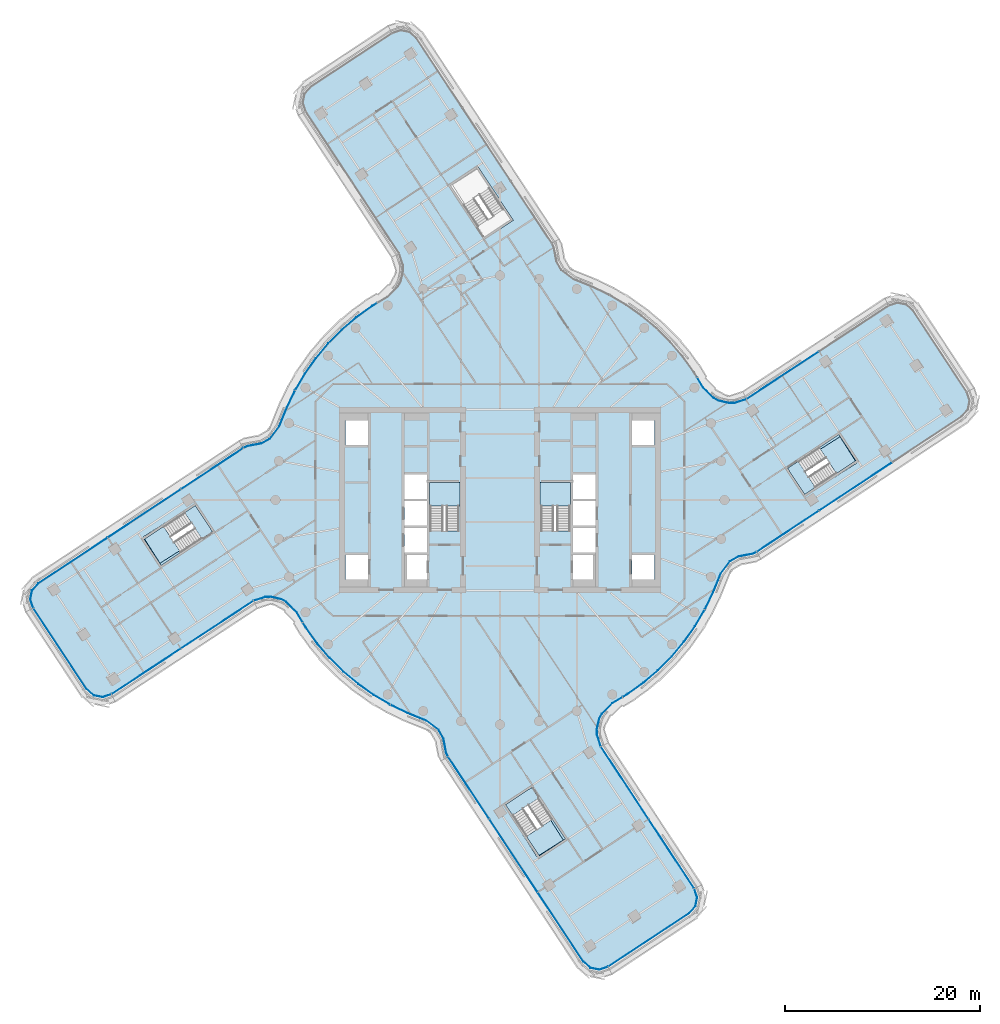
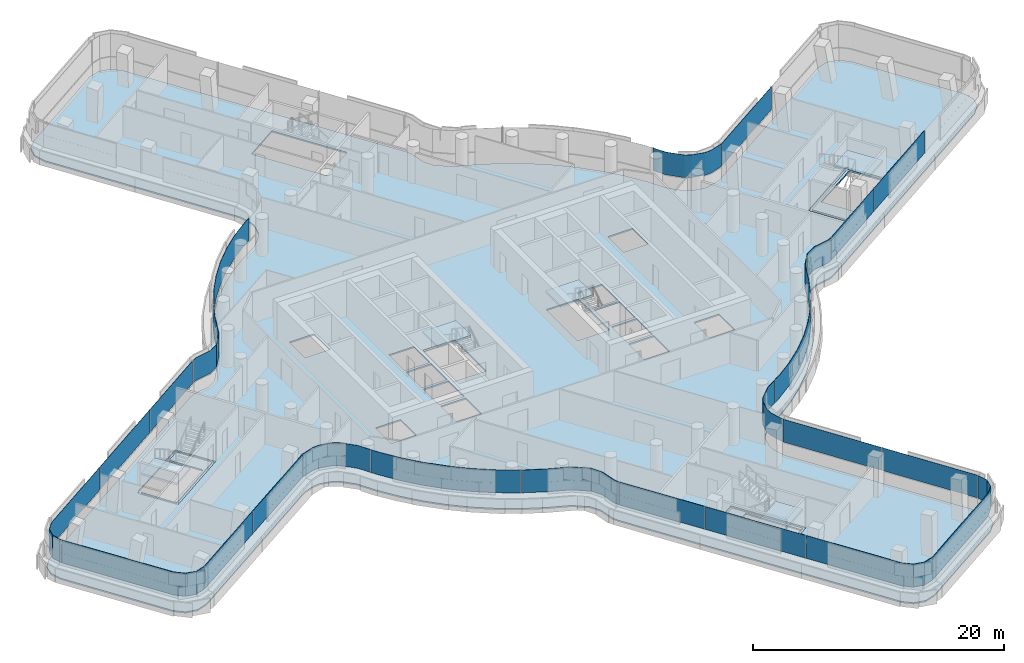
# One storey, part 20 of 35: 24 plates, 9 slabs, 17 elements without a shape of their own.
"""IFC4 building model written with IfcOpenShell, lengths in metres."""

from ifc_helpers import new_model, si_unit, direction, frame, origin, place, context, subcontext, project, spatial, polyline, outline, extrude, material, layer, layer_set, type_object, element, aggregate, save


model = new_model("IFC4")

# Units and contexts
model_context = context("Model", 3, precision=1e-05, world=origin(), true_north=direction((0.0, 1.0)))
body_context = subcontext(model_context, "Body", "Model", "MODEL_VIEW")
ifc_project = project(units=[si_unit("LENGTHUNIT", "METRE"), si_unit("AREAUNIT", "SQUARE_METRE"), si_unit("VOLUMEUNIT", "CUBIC_METRE"), si_unit("PLANEANGLEUNIT", "RADIAN"), si_unit("MASSUNIT", "GRAM", prefix="KILO")], contexts=[model_context])

# Site, building, storey
site_placement = place(None, origin())
site = spatial("IfcSite", under=ifc_project, at=site_placement, CompositionType="ELEMENT")
building_placement = place(site_placement, origin())
building = spatial("IfcBuilding", under=site, at=building_placement, Name="Tamarind Cross Interchange Tower", CompositionType="ELEMENT")
storey_placement = place(building_placement, frame((0.0, 0.0, 155.5)))
storey = spatial("IfcBuildingStorey", under=building, at=storey_placement, Name="L38", CompositionType="ELEMENT", Elevation=155.5)

# Slabs
ifc_material_1 = material(Name="Concrete C35", Category="concrete")
ifc_layer_1 = layer(ifc_material_1, 0.139892578125)
ifc_layer_set_1 = layer_set([ifc_layer_1], Name="Concrete C35")
slab_type_1 = type_object("IfcSlabType", Name="Composite slab 140 Concrete C35", PredefinedType="FLOOR", material=ifc_layer_set_1)
slab_1_placement = place(storey_placement, frame((0.0, 0.0, -0.139892578125)))
element("IfcSlab", 1, at=slab_1_placement, inside=storey, type_object=slab_type_1, Name="Floor slab L38", PredefinedType="FLOOR", context=body_context, shape_type="SweptSolid", body=[
    extrude(outline(polyline([(5.707275390625, 25.9365234375), (5.47900390625, 26.406005859375), (-8.395263671875, 47.420654296875), (-9.169921875, 48.107666015625), (-10.18408203125, 48.315185546875), (-11.166259765625, 47.98779296875), (-19.511474609375, 42.47802734375), (-20.198486328125, 41.70361328125), (-20.406005859375, 40.689208984375), (-20.07861328125, 39.70703125), (-10.51123046875, 25.150634765625), (-10.143310546875, 24.017578125), (-10.119873046875, 23.495361328125), (-10.355224609375, 22.466796875), (-10.603271484375, 22.006591796875), (-11.63671875, 20.97998046875), (-13.2109375, 20.031982421875), (-14.820068359375, 18.87255859375), (-16.327880859375, 17.584228515625), (-17.72412109375, 16.17578125), (-18.99951171875, 14.656982421875), (-20.14501953125, 13.0380859375), (-21.15283203125, 11.329833984375), (-22.01611328125, 9.54443359375), (-22.772705078125, 7.660400390625), (-23.689208984375, 6.440185546875), (-24.509765625, 5.971435546875), (-25.3212890625, 5.828369140625), (-25.9365234375, 5.707275390625), (-26.406005859375, 5.47900390625), (-47.420654296875, -8.395263671875), (-48.107666015625, -9.169921875), (-48.315185546875, -10.18408203125), (-47.98779296875, -11.166259765625), (-42.47802734375, -19.511474609375), (-41.70361328125, -20.198486328125), (-40.689208984375, -20.406005859375), (-39.70703125, -20.07861328125), (-25.150634765625, -10.51123046875), (-24.017578125, -10.143310546875), (-23.495361328125, -10.119873046875), (-22.466796875, -10.355224609375), (-22.006591796875, -10.603271484375), (-20.97998046875, -11.63671875), (-20.031982421875, -13.2109375), (-18.87255859375, -14.820068359375), (-17.584228515625, -16.327880859375), (-16.17578125, -17.72412109375), (-14.656982421875, -18.99951171875), (-13.0380859375, -20.14501953125), (-11.329833984375, -21.15283203125), (-9.54443359375, -22.01611328125), (-7.660400390625, -22.772705078125), (-6.440185546875, -23.689208984375), (-5.971435546875, -24.509765625), (-5.828369140625, -25.3212890625), (-5.707275390625, -25.9365234375), (-5.47900390625, -26.406005859375), (8.395263671875, -47.420654296875), (9.169921875, -48.107666015625), (10.18408203125, -48.315185546875), (11.166259765625, -47.98779296875), (19.511474609375, -42.47802734375), (20.198486328125, -41.70361328125), (20.406005859375, -40.689208984375), (20.07861328125, -39.70703125), (10.51123046875, -25.150634765625), (10.143310546875, -24.017578125), (10.119873046875, -23.495361328125), (10.355224609375, -22.466796875), (10.603271484375, -22.006591796875), (11.63671875, -20.97998046875), (13.2109375, -20.031982421875), (14.820068359375, -18.87255859375), (16.327880859375, -17.584228515625), (17.72412109375, -16.17578125), (18.99951171875, -14.656982421875), (20.14501953125, -13.0380859375), (21.15283203125, -11.329833984375), (22.01611328125, -9.54443359375), (22.772705078125, -7.660400390625), (23.689208984375, -6.440185546875), (24.509765625, -5.971435546875), (25.3212890625, -5.828369140625), (25.9365234375, -5.707275390625), (26.406005859375, -5.47900390625), (47.420654296875, 8.395263671875), (48.107666015625, 9.169921875), (48.315185546875, 10.18408203125), (47.98779296875, 11.166259765625), (42.47802734375, 19.511474609375), (41.70361328125, 20.198486328125), (40.689208984375, 20.406005859375), (39.70703125, 20.07861328125), (25.150634765625, 10.51123046875), (24.017578125, 10.143310546875), (23.495361328125, 10.119873046875), (22.466796875, 10.355224609375), (22.006591796875, 10.603271484375), (20.97998046875, 11.63671875), (20.031982421875, 13.2109375), (18.87255859375, 14.820068359375), (17.584228515625, 16.327880859375), (16.17578125, 17.72412109375), (14.656982421875, 18.99951171875), (13.0380859375, 20.14501953125), (11.329833984375, 21.15283203125), (9.54443359375, 22.01611328125), (7.660400390625, 22.772705078125), (6.440185546875, 23.689208984375), (5.971435546875, 24.509765625), (5.828369140625, 25.3212890625), (5.707275390625, 25.9365234375)]), holes=[polyline([(-7.5, -8.125), (-9.800048828125, -8.125), (-9.800048828125, -5.625), (-7.5, -5.625), (-7.5, -8.125)]), polyline([(-13.5, -8.125), (-15.800048828125, -8.125), (-15.800048828125, -5.625), (-13.5, -5.625), (-13.5, -8.125)]), polyline([(-31.154052734375, -0.291748046875), (-31.043701171875, -0.458740234375), (-29.28076171875, -3.129150390625), (-29.17041015625, -3.296142578125), (-34.76171875, -6.987548828125), (-34.8720703125, -6.82080078125), (-36.635009765625, -4.150390625), (-36.745361328125, -3.9833984375), (-36.50732421875, -3.826171875), (-36.539306640625, -3.775634765625), (-33.761474609375, -2.013427734375), (-31.154052734375, -0.291748046875)]), polyline([(-7.5, -5.375), (-9.800048828125, -5.375), (-9.800048828125, -2.875), (-7.5, -2.875), (-7.5, -5.375)]), polyline([(-7.5, -2.625), (-9.800048828125, -2.625), (-9.800048828125, -0.125), (-7.5, -0.125), (-7.5, -2.625)]), polyline([(-4.199951171875, 1.800048828125), (-4.199951171875, -3.18798828125), (-7.14990234375, -3.18798828125), (-7.14990234375, 1.800048828125), (-4.199951171875, 1.800048828125)]), polyline([(-7.5, 0.125), (-9.800048828125, 0.125), (-9.800048828125, 2.625), (-7.5, 2.625), (-7.5, 0.125)]), polyline([(-13.5, 5.625), (-15.800048828125, 5.625), (-15.800048828125, 8.125), (-13.5, 8.125), (-13.5, 5.625)]), polyline([(1.361083984375, 28.650390625), (1.194091796875, 28.540283203125), (-1.476318359375, 26.777099609375), (-1.643310546875, 26.6669921875), (-5.334716796875, 32.25830078125), (-5.167724609375, 32.368408203125), (-2.497314453125, 34.131591796875), (-2.330322265625, 34.24169921875), (-2.173095703125, 34.00341796875), (-2.168701171875, 34.006103515625), (-2.013427734375, 33.761474609375), (1.361083984375, 28.650390625)]), polyline([(6.987548828125, -34.76171875), (6.82080078125, -34.8720703125), (4.150390625, -36.635009765625), (3.9833984375, -36.745361328125), (3.826171875, -36.50732421875), (3.775634765625, -36.539306640625), (2.013427734375, -33.761474609375), (0.291748046875, -31.154052734375), (0.458740234375, -31.043701171875), (3.129150390625, -29.28076171875), (3.296142578125, -29.17041015625), (6.987548828125, -34.76171875)]), polyline([(13.5, -5.625), (15.800048828125, -5.625), (15.800048828125, -8.125), (13.5, -8.125), (13.5, -5.625)]), polyline([(7.5, -5.625), (9.800048828125, -5.625), (9.800048828125, -8.125), (7.5, -8.125), (7.5, -5.625)]), polyline([(7.5, -2.875), (9.800048828125, -2.875), (9.800048828125, -5.375), (7.5, -5.375), (7.5, -2.875)]), polyline([(7.5, -0.125), (9.800048828125, -0.125), (9.800048828125, -2.625), (7.5, -2.625), (7.5, -0.125)]), polyline([(7.14990234375, 1.800048828125), (7.14990234375, -3.18798828125), (4.199951171875, -3.18798828125), (4.199951171875, 1.800048828125), (7.14990234375, 1.800048828125)]), polyline([(7.5, 2.625), (9.800048828125, 2.625), (9.800048828125, 0.125), (7.5, 0.125), (7.5, 2.625)]), polyline([(33.761474609375, 2.013427734375), (31.154052734375, 0.291748046875), (31.043701171875, 0.458740234375), (29.28076171875, 3.129150390625), (29.17041015625, 3.296142578125), (34.76171875, 6.987548828125), (34.8720703125, 6.82080078125), (36.635009765625, 4.150390625), (36.745361328125, 3.9833984375), (36.50732421875, 3.826171875), (36.539306640625, 3.775634765625), (33.761474609375, 2.013427734375)]), polyline([(15.800048828125, 8.125), (15.800048828125, 5.625), (13.5, 5.625), (13.5, 8.125), (15.800048828125, 8.125)])]), origin(), (0.0, 0.0, 1.0), 0.139892578125),
])
slab_2_placement = place(storey_placement, frame((0.0, 0.0, -0.139892578125)))
element("IfcSlab", 2, at=slab_2_placement, inside=storey, type_object=slab_type_1, Name="Floor slab L38", PredefinedType="FLOOR", context=body_context, shape_type="SweptSolid", body=[
    extrude(outline(polyline([(-36.46826171875, -4.0400390625), (-34.705078125, -6.71044921875), (-29.447509765625, -3.239501953125), (-31.210693359375, -0.56884765625), (-32.3056640625, -1.291748046875), (-30.63623046875, -3.8203125), (-34.8251953125, -6.477783203125), (-36.400146484375, -3.9951171875), (-36.46826171875, -4.0400390625)])), origin(), (0.0, 0.0, 1.0), 0.139892578125),
])
slab_3_placement = place(storey_placement, frame((0.0, 0.0, -0.139892578125)))
element("IfcSlab", 3, at=slab_3_placement, inside=storey, type_object=slab_type_1, Name="Floor slab L38", PredefinedType="FLOOR", context=body_context, shape_type="SweptSolid", body=[
    extrude(outline(polyline([(3.239501953125, -29.447509765625), (0.56884765625, -31.210693359375), (1.291748046875, -32.3056640625), (3.8203125, -30.63623046875), (6.477783203125, -34.8251953125), (3.9951171875, -36.400146484375), (4.0400390625, -36.46826171875), (6.71044921875, -34.705078125), (3.239501953125, -29.447509765625)])), origin(), (0.0, 0.0, 1.0), 0.139892578125),
])
slab_4_placement = place(storey_placement, frame((0.0, 0.0, -0.139892578125)))
element("IfcSlab", 4, at=slab_4_placement, inside=storey, type_object=slab_type_1, Name="Floor slab L38", PredefinedType="FLOOR", context=body_context, shape_type="SweptSolid", body=[
    extrude(outline(polyline([(29.447509765625, 3.239501953125), (31.210693359375, 0.56884765625), (32.3056640625, 1.291748046875), (30.63623046875, 3.8203125), (34.8251953125, 6.477783203125), (36.400146484375, 3.9951171875), (36.46826171875, 4.0400390625), (34.705078125, 6.71044921875), (29.447509765625, 3.239501953125)])), origin(), (0.0, 0.0, 1.0), 0.139892578125),
])

# Stair, slab
ifc_material_2 = material(Name="Exit stair")
stair_type = type_object("IfcStairType", Name="Exit stair", PredefinedType="HALF_TURN_STAIR", material=ifc_material_2)
stair_1_placement = place(storey_placement, origin())
stair_1 = element("IfcStair", 5, at=stair_1_placement, inside=storey, type_object=stair_type, Name="L38 exit stair ST1", PredefinedType="HALF_TURN_STAIR")
ifc_material_3 = material(Name="Concrete C40", Category="concrete")
ifc_layer_2 = layer(ifc_material_3, 0.199951171875)
ifc_layer_set_2 = layer_set([ifc_layer_2], Name="Concrete C40")
slab_type_2 = type_object("IfcSlabType", Name="Stair landing", PredefinedType="LANDING", material=ifc_layer_set_2)
slab_5_placement = place(storey_placement, frame((0.0, 0.0, 1.675048828125)))
slab_5 = element("IfcSlab", 6, at=slab_5_placement, type_object=slab_type_2, Name="ST1 landing 1", PredefinedType="LANDING", context=body_context, shape_type="SweptSolid", body=[
    extrude(outline(polyline([(-4.10009765625, -0.60009765625), (-4.10009765625, 1.800048828125), (-7.199951171875, 1.800048828125), (-7.199951171875, -0.60009765625), (-4.10009765625, -0.60009765625)])), origin(), (0.0, 0.0, 1.0), 0.199951171875),
])
aggregate(stair_1, [slab_5])

stair_2_placement = place(storey_placement, origin())
stair_2 = element("IfcStair", 7, at=stair_2_placement, inside=storey, type_object=stair_type, Name="L38 exit stair ST2", PredefinedType="HALF_TURN_STAIR")
slab_6_placement = place(storey_placement, frame((0.0, 0.0, 1.675048828125)))
slab_6 = element("IfcSlab", 8, at=slab_6_placement, type_object=slab_type_2, Name="ST2 landing 1", PredefinedType="LANDING", context=body_context, shape_type="SweptSolid", body=[
    extrude(outline(polyline([(7.199951171875, -0.60009765625), (7.199951171875, 1.800048828125), (4.10009765625, 1.800048828125), (4.10009765625, -0.60009765625), (7.199951171875, -0.60009765625)])), origin(), (0.0, 0.0, 1.0), 0.199951171875),
])
aggregate(stair_2, [slab_6])

stair_3_placement = place(storey_placement, origin())
stair_3 = element("IfcStair", 9, at=stair_3_placement, inside=storey, type_object=stair_type, Name="L38 exit stair ST3", PredefinedType="HALF_TURN_STAIR")
slab_7_placement = place(storey_placement, frame((0.0, 0.0, 1.675048828125)))
slab_7 = element("IfcSlab", 10, at=slab_7_placement, type_object=slab_type_2, Name="ST3 landing 1", PredefinedType="LANDING", context=body_context, shape_type="SweptSolid", body=[
    extrude(outline(polyline([(34.455322265625, 2.711181640625), (36.46826171875, 4.0400390625), (34.705078125, 6.71044921875), (32.692138671875, 5.381591796875), (34.455322265625, 2.711181640625)])), origin(), (0.0, 0.0, 1.0), 0.199951171875),
])
aggregate(stair_3, [slab_7])

stair_4_placement = place(storey_placement, origin())
stair_4 = element("IfcStair", 11, at=stair_4_placement, inside=storey, type_object=stair_type, Name="L38 exit stair ST5", PredefinedType="HALF_TURN_STAIR")
slab_8_placement = place(storey_placement, frame((0.0, 0.0, 1.675048828125)))
slab_8 = element("IfcSlab", 12, at=slab_8_placement, type_object=slab_type_2, Name="ST5 landing 1", PredefinedType="LANDING", context=body_context, shape_type="SweptSolid", body=[
    extrude(outline(polyline([(-34.455322265625, -2.711181640625), (-36.46826171875, -4.0400390625), (-34.705078125, -6.71044921875), (-32.692138671875, -5.381591796875), (-34.455322265625, -2.711181640625)])), origin(), (0.0, 0.0, 1.0), 0.199951171875),
])
aggregate(stair_4, [slab_8])

stair_5_placement = place(storey_placement, origin())
stair_5 = element("IfcStair", 13, at=stair_5_placement, inside=storey, type_object=stair_type, Name="L38 exit stair ST6", PredefinedType="HALF_TURN_STAIR")
slab_9_placement = place(storey_placement, frame((0.0, 0.0, 1.675048828125)))
slab_9 = element("IfcSlab", 14, at=slab_9_placement, type_object=slab_type_2, Name="ST6 landing 1", PredefinedType="LANDING", context=body_context, shape_type="SweptSolid", body=[
    extrude(outline(polyline([(2.711181640625, -34.455322265625), (4.0400390625, -36.46826171875), (6.71044921875, -34.705078125), (5.381591796875, -32.692138671875), (2.711181640625, -34.455322265625)])), origin(), (0.0, 0.0, 1.0), 0.199951171875),
])
aggregate(stair_5, [slab_9])

# Curtain wall, plates
ifc_material_4 = material(Name="Aluminium 6063-T6", Category="aluminium")
ifc_layer_3 = layer(ifc_material_4, 0.159912109375)
ifc_layer_set_3 = layer_set([ifc_layer_3], Name="Aluminium 6063-T6")
curtain_wall_type = type_object("IfcCurtainWallType", Name="Office curtain wall, 9.0 m bays", PredefinedType="NOTDEFINED", material=ifc_layer_set_3)
curtain_wall_1_placement = place(storey_placement, origin())
curtain_wall_1 = element("IfcCurtainWall", 15, at=curtain_wall_1_placement, inside=storey, type_object=curtain_wall_type, Name="CWS-L38-02", PredefinedType="NOTDEFINED")
ifc_material_5 = material(Name="Laminated low-e glass 8+1.52+8", Category="glass")
ifc_layer_4 = layer(ifc_material_5, 0.028076171875)
ifc_layer_set_4 = layer_set([ifc_layer_4], Name="Laminated low-e glass 8+1.52+8")
plate_type = type_object("IfcPlateType", Name="Vision panel CW1", PredefinedType="CURTAIN_PANEL", material=ifc_layer_set_4)
plate_1_placement = place(storey_placement, frame((0.0, 0.0, 1.39990234375)))
plate_1 = element("IfcPlate", 16, at=plate_1_placement, type_object=plate_type, Name="CWP-L38-02-01", PredefinedType="CURTAIN_PANEL", context=body_context, shape_type="SweptSolid", body=[
    extrude(outline(polyline([(-12.564453125, 20.17138671875), (-13.093017578125, 19.853271484375), (-14.687744140625, 18.7041015625), (-16.18212890625, 17.42724609375), (-17.56591796875, 16.031494140625), (-18.829833984375, 14.526123046875), (-19.965087890625, 12.921630859375), (-20.9482421875, 11.25537109375), (-20.972412109375, 11.269775390625), (-19.988525390625, 12.936767578125), (-18.85205078125, 14.543212890625), (-17.586669921875, 16.05029296875), (-16.201171875, 17.44775390625), (-14.705078125, 18.72607421875), (-13.1083984375, 19.87646484375), (-12.5791015625, 20.1953125), (-12.564453125, 20.17138671875)])), origin(), (0.0, 0.0, 1.0), 2.210205078125),
])
plate_2_placement = place(storey_placement, frame((0.0, 0.0, 1.39990234375)))
plate_2 = element("IfcPlate", 17, at=plate_2_placement, type_object=plate_type, Name="CWP-L38-02-02", PredefinedType="CURTAIN_PANEL", context=body_context, shape_type="SweptSolid", body=[
    extrude(outline(polyline([(-20.97607421875, 11.20361328125), (-21.8203125, 9.457763671875), (-22.58447265625, 7.554443359375), (-23.544677734375, 6.2763671875), (-24.43603515625, 5.76708984375), (-25.281982421875, 5.617919921875), (-25.867919921875, 5.502685546875), (-26.273681640625, 5.305419921875), (-26.2861328125, 5.33056640625), (-25.876953125, 5.529541015625), (-25.287109375, 5.6455078125), (-24.445556640625, 5.793701171875), (-23.5634765625, 6.2978515625), (-22.609130859375, 7.568359375), (-21.845947265625, 9.46923828125), (-21.001220703125, 11.2158203125), (-20.97607421875, 11.20361328125)])), origin(), (0.0, 0.0, 1.0), 2.210205078125),
])
aggregate(curtain_wall_1, [plate_1, plate_2])

curtain_wall_2_placement = place(storey_placement, origin())
curtain_wall_2 = element("IfcCurtainWall", 18, at=curtain_wall_2_placement, inside=storey, type_object=curtain_wall_type, Name="CWS-L38-03", PredefinedType="NOTDEFINED")
plate_3_placement = place(storey_placement, frame((0.0, 0.0, 1.39990234375)))
plate_3 = element("IfcPlate", 19, at=plate_3_placement, type_object=plate_type, Name="CWP-L38-03-00", PredefinedType="CURTAIN_PANEL", context=body_context, shape_type="SweptSolid", body=[
    extrude(outline(polyline([(-26.32421875, 5.276611328125), (-32.641357421875, 1.10595703125), (-32.65673828125, 1.12939453125), (-26.339599609375, 5.300048828125), (-26.32421875, 5.276611328125)])), origin(), (0.0, 0.0, 1.0), 2.210205078125),
])
plate_4_placement = place(storey_placement, frame((0.0, 0.0, 1.39990234375)))
plate_4 = element("IfcPlate", 20, at=plate_4_placement, type_object=plate_type, Name="CWP-L38-03-01", PredefinedType="CURTAIN_PANEL", context=body_context, shape_type="SweptSolid", body=[
    extrude(outline(polyline([(-32.69140625, 1.072998046875), (-40.140380859375, -3.844970703125), (-40.15576171875, -3.82177734375), (-32.706787109375, 1.09619140625), (-32.69140625, 1.072998046875)])), origin(), (0.0, 0.0, 1.0), 2.210205078125),
])
plate_5_placement = place(storey_placement, frame((0.0, 0.0, 1.39990234375)))
plate_5 = element("IfcPlate", 21, at=plate_5_placement, type_object=plate_type, Name="CWP-L38-03-02", PredefinedType="CURTAIN_PANEL", context=body_context, shape_type="SweptSolid", body=[
    extrude(outline(polyline([(-40.1904296875, -3.878173828125), (-47.279296875, -8.558349609375), (-47.909423828125, -9.268798828125), (-48.093994140625, -10.1708984375), (-47.802490234375, -11.045166015625), (-47.8291015625, -11.053955078125), (-48.123046875, -10.172607421875), (-47.935302734375, -9.255859375), (-47.2978515625, -8.536865234375), (-40.205810546875, -3.854736328125), (-40.1904296875, -3.878173828125)])), origin(), (0.0, 0.0, 1.0), 2.210205078125),
])
aggregate(curtain_wall_2, [plate_3, plate_4, plate_5])

# Curtain wall, plate
curtain_wall_3_placement = place(storey_placement, origin())
curtain_wall_3 = element("IfcCurtainWall", 22, at=curtain_wall_3_placement, inside=storey, type_object=curtain_wall_type, Name="CWS-L38-04", PredefinedType="NOTDEFINED")
plate_6_placement = place(storey_placement, frame((0.0, 0.0, 1.39990234375)))
plate_6 = element("IfcPlate", 23, at=plate_6_placement, type_object=plate_type, Name="CWP-L38-04-00", PredefinedType="CURTAIN_PANEL", context=body_context, shape_type="SweptSolid", body=[
    extrude(outline(polyline([(-47.778076171875, -11.095458984375), (-42.31494140625, -19.3701171875), (-41.6044921875, -20.000244140625), (-40.70263671875, -20.184814453125), (-39.828125, -19.893310546875), (-39.819091796875, -19.919921875), (-40.70068359375, -20.2138671875), (-41.617431640625, -20.026123046875), (-42.33642578125, -19.388671875), (-47.801513671875, -11.11083984375), (-47.778076171875, -11.095458984375)])), origin(), (0.0, 0.0, 1.0), 2.210205078125),
])
aggregate(curtain_wall_3, [plate_6])

# Curtain wall, plates
curtain_wall_4_placement = place(storey_placement, origin())
curtain_wall_4 = element("IfcCurtainWall", 24, at=curtain_wall_4_placement, inside=storey, type_object=curtain_wall_type, Name="CWS-L38-05", PredefinedType="NOTDEFINED")
plate_7_placement = place(storey_placement, frame((0.0, 0.0, 1.39990234375)))
plate_7 = element("IfcPlate", 25, at=plate_7_placement, type_object=plate_type, Name="CWP-L38-05-00", PredefinedType="CURTAIN_PANEL", context=body_context, shape_type="SweptSolid", body=[
    extrude(outline(polyline([(-39.77783203125, -19.868896484375), (-32.69140625, -15.211181640625), (-32.676025390625, -15.234619140625), (-39.762451171875, -19.892333984375), (-39.77783203125, -19.868896484375)])), origin(), (0.0, 0.0, 1.0), 2.210205078125),
])
plate_8_placement = place(storey_placement, frame((0.0, 0.0, 1.39990234375)))
plate_8 = element("IfcPlate", 26, at=plate_8_placement, type_object=plate_type, Name="CWP-L38-05-01", PredefinedType="CURTAIN_PANEL", context=body_context, shape_type="SweptSolid", body=[
    extrude(outline(polyline([(-32.64111328125, -15.17822265625), (-25.270751953125, -10.333984375), (-25.25537109375, -10.357421875), (-32.625732421875, -15.20166015625), (-32.64111328125, -15.17822265625)])), origin(), (0.0, 0.0, 1.0), 2.210205078125),
])
aggregate(curtain_wall_4, [plate_7, plate_8])

curtain_wall_5_placement = place(storey_placement, origin())
curtain_wall_5 = element("IfcCurtainWall", 27, at=curtain_wall_5_placement, inside=storey, type_object=curtain_wall_type, Name="CWS-L38-06", PredefinedType="NOTDEFINED")
plate_9_placement = place(storey_placement, frame((0.0, 0.0, 1.39990234375)))
plate_9 = element("IfcPlate", 28, at=plate_9_placement, type_object=plate_type, Name="CWP-L38-06-00", PredefinedType="CURTAIN_PANEL", context=body_context, shape_type="SweptSolid", body=[
    extrude(outline(polyline([(-25.2138671875, -10.306640625), (-24.05615234375, -9.9306640625), (-23.475830078125, -9.90478515625), (-22.390869140625, -10.153076171875), (-21.877197265625, -10.429931640625), (-20.809814453125, -11.504150390625), (-20.202392578125, -12.51318359375), (-20.226318359375, -12.527587890625), (-20.83203125, -11.521484375), (-21.894287109375, -10.45263671875), (-22.400634765625, -10.1796875), (-23.478515625, -9.932861328125), (-24.051025390625, -9.95849609375), (-25.205078125, -10.333251953125), (-25.2138671875, -10.306640625)])), origin(), (0.0, 0.0, 1.0), 2.210205078125),
])
plate_10_placement = place(storey_placement, frame((0.0, 0.0, 1.39990234375)))
plate_10 = element("IfcPlate", 29, at=plate_10_placement, type_object=plate_type, Name="CWP-L38-06-01", PredefinedType="CURTAIN_PANEL", context=body_context, shape_type="SweptSolid", body=[
    extrude(outline(polyline([(-20.17138671875, -12.564453125), (-19.853271484375, -13.093017578125), (-18.7041015625, -14.687744140625), (-17.42724609375, -16.18212890625), (-16.031494140625, -17.56591796875), (-14.526123046875, -18.829833984375), (-12.921630859375, -19.965087890625), (-11.25537109375, -20.9482421875), (-11.269775390625, -20.972412109375), (-12.936767578125, -19.988525390625), (-14.543212890625, -18.85205078125), (-16.05029296875, -17.586669921875), (-17.44775390625, -16.201171875), (-18.72607421875, -14.705078125), (-19.87646484375, -13.1083984375), (-20.1953125, -12.5791015625), (-20.17138671875, -12.564453125)])), origin(), (0.0, 0.0, 1.0), 2.210205078125),
])
plate_11_placement = place(storey_placement, frame((0.0, 0.0, 1.39990234375)))
plate_11 = element("IfcPlate", 30, at=plate_11_placement, type_object=plate_type, Name="CWP-L38-06-02", PredefinedType="CURTAIN_PANEL", context=body_context, shape_type="SweptSolid", body=[
    extrude(outline(polyline([(-11.20361328125, -20.97607421875), (-9.457763671875, -21.8203125), (-7.554443359375, -22.58447265625), (-6.2763671875, -23.544677734375), (-5.76708984375, -24.43603515625), (-5.617919921875, -25.281982421875), (-5.502685546875, -25.867919921875), (-5.305419921875, -26.273681640625), (-5.33056640625, -26.2861328125), (-5.529541015625, -25.876953125), (-5.6455078125, -25.287109375), (-5.793701171875, -24.445556640625), (-6.2978515625, -23.5634765625), (-7.568359375, -22.609130859375), (-9.46923828125, -21.845947265625), (-11.2158203125, -21.001220703125), (-11.20361328125, -20.97607421875)])), origin(), (0.0, 0.0, 1.0), 2.210205078125),
])
aggregate(curtain_wall_5, [plate_9, plate_10, plate_11])

curtain_wall_6_placement = place(storey_placement, origin())
curtain_wall_6 = element("IfcCurtainWall", 31, at=curtain_wall_6_placement, inside=storey, type_object=curtain_wall_type, Name="CWS-L38-07", PredefinedType="NOTDEFINED")
plate_12_placement = place(storey_placement, frame((0.0, 0.0, 1.39990234375)))
plate_12 = element("IfcPlate", 32, at=plate_12_placement, type_object=plate_type, Name="CWP-L38-07-00", PredefinedType="CURTAIN_PANEL", context=body_context, shape_type="SweptSolid", body=[
    extrude(outline(polyline([(-5.276611328125, -26.32421875), (-1.10595703125, -32.641357421875), (-1.12939453125, -32.65673828125), (-5.300048828125, -26.339599609375), (-5.276611328125, -26.32421875)])), origin(), (0.0, 0.0, 1.0), 2.210205078125),
])
plate_13_placement = place(storey_placement, frame((0.0, 0.0, 1.39990234375)))
plate_13 = element("IfcPlate", 33, at=plate_13_placement, type_object=plate_type, Name="CWP-L38-07-01", PredefinedType="CURTAIN_PANEL", context=body_context, shape_type="SweptSolid", body=[
    extrude(outline(polyline([(-1.072998046875, -32.69140625), (3.844970703125, -40.140380859375), (3.82177734375, -40.15576171875), (-1.09619140625, -32.706787109375), (-1.072998046875, -32.69140625)])), origin(), (0.0, 0.0, 1.0), 2.210205078125),
])
plate_14_placement = place(storey_placement, frame((0.0, 0.0, 1.39990234375)))
plate_14 = element("IfcPlate", 34, at=plate_14_placement, type_object=plate_type, Name="CWP-L38-07-02", PredefinedType="CURTAIN_PANEL", context=body_context, shape_type="SweptSolid", body=[
    extrude(outline(polyline([(3.878173828125, -40.1904296875), (8.558349609375, -47.279296875), (9.268798828125, -47.909423828125), (10.1708984375, -48.093994140625), (11.045166015625, -47.802490234375), (11.053955078125, -47.8291015625), (10.172607421875, -48.123046875), (9.255859375, -47.935302734375), (8.536865234375, -47.2978515625), (3.854736328125, -40.205810546875), (3.878173828125, -40.1904296875)])), origin(), (0.0, 0.0, 1.0), 2.210205078125),
])
aggregate(curtain_wall_6, [plate_12, plate_13, plate_14])

# Curtain wall, plate
curtain_wall_7_placement = place(storey_placement, origin())
curtain_wall_7 = element("IfcCurtainWall", 35, at=curtain_wall_7_placement, inside=storey, type_object=curtain_wall_type, Name="CWS-L38-08", PredefinedType="NOTDEFINED")
plate_15_placement = place(storey_placement, frame((0.0, 0.0, 1.39990234375)))
plate_15 = element("IfcPlate", 36, at=plate_15_placement, type_object=plate_type, Name="CWP-L38-08-00", PredefinedType="CURTAIN_PANEL", context=body_context, shape_type="SweptSolid", body=[
    extrude(outline(polyline([(11.095458984375, -47.778076171875), (19.3701171875, -42.31494140625), (20.000244140625, -41.6044921875), (20.184814453125, -40.70263671875), (19.893310546875, -39.828125), (19.919921875, -39.819091796875), (20.2138671875, -40.70068359375), (20.026123046875, -41.617431640625), (19.388671875, -42.33642578125), (11.11083984375, -47.801513671875), (11.095458984375, -47.778076171875)])), origin(), (0.0, 0.0, 1.0), 2.210205078125),
])
aggregate(curtain_wall_7, [plate_15])

# Curtain wall, plates
curtain_wall_8_placement = place(storey_placement, origin())
curtain_wall_8 = element("IfcCurtainWall", 37, at=curtain_wall_8_placement, inside=storey, type_object=curtain_wall_type, Name="CWS-L38-09", PredefinedType="NOTDEFINED")
plate_16_placement = place(storey_placement, frame((0.0, 0.0, 1.39990234375)))
plate_16 = element("IfcPlate", 38, at=plate_16_placement, type_object=plate_type, Name="CWP-L38-09-00", PredefinedType="CURTAIN_PANEL", context=body_context, shape_type="SweptSolid", body=[
    extrude(outline(polyline([(19.868896484375, -39.77783203125), (15.211181640625, -32.69140625), (15.234619140625, -32.676025390625), (19.892333984375, -39.762451171875), (19.868896484375, -39.77783203125)])), origin(), (0.0, 0.0, 1.0), 2.210205078125),
])
plate_17_placement = place(storey_placement, frame((0.0, 0.0, 1.39990234375)))
plate_17 = element("IfcPlate", 39, at=plate_17_placement, type_object=plate_type, Name="CWP-L38-09-01", PredefinedType="CURTAIN_PANEL", context=body_context, shape_type="SweptSolid", body=[
    extrude(outline(polyline([(15.17822265625, -32.64111328125), (10.333984375, -25.270751953125), (10.357421875, -25.25537109375), (15.20166015625, -32.625732421875), (15.17822265625, -32.64111328125)])), origin(), (0.0, 0.0, 1.0), 2.210205078125),
])
aggregate(curtain_wall_8, [plate_16, plate_17])

curtain_wall_9_placement = place(storey_placement, origin())
curtain_wall_9 = element("IfcCurtainWall", 40, at=curtain_wall_9_placement, inside=storey, type_object=curtain_wall_type, Name="CWS-L38-10", PredefinedType="NOTDEFINED")
plate_18_placement = place(storey_placement, frame((0.0, 0.0, 1.39990234375)))
plate_18 = element("IfcPlate", 41, at=plate_18_placement, type_object=plate_type, Name="CWP-L38-10-00", PredefinedType="CURTAIN_PANEL", context=body_context, shape_type="SweptSolid", body=[
    extrude(outline(polyline([(10.306640625, -25.2138671875), (9.9306640625, -24.05615234375), (9.90478515625, -23.475830078125), (10.153076171875, -22.390869140625), (10.429931640625, -21.877197265625), (11.504150390625, -20.809814453125), (12.51318359375, -20.202392578125), (12.527587890625, -20.226318359375), (11.521484375, -20.83203125), (10.45263671875, -21.894287109375), (10.1796875, -22.400634765625), (9.932861328125, -23.478515625), (9.95849609375, -24.051025390625), (10.333251953125, -25.205078125), (10.306640625, -25.2138671875)])), origin(), (0.0, 0.0, 1.0), 2.210205078125),
])
plate_19_placement = place(storey_placement, frame((0.0, 0.0, 1.39990234375)))
plate_19 = element("IfcPlate", 42, at=plate_19_placement, type_object=plate_type, Name="CWP-L38-10-01", PredefinedType="CURTAIN_PANEL", context=body_context, shape_type="SweptSolid", body=[
    extrude(outline(polyline([(12.564453125, -20.17138671875), (13.093017578125, -19.853271484375), (14.687744140625, -18.7041015625), (16.18212890625, -17.42724609375), (17.56591796875, -16.031494140625), (18.829833984375, -14.526123046875), (19.965087890625, -12.921630859375), (20.9482421875, -11.25537109375), (20.972412109375, -11.269775390625), (19.988525390625, -12.936767578125), (18.85205078125, -14.543212890625), (17.586669921875, -16.05029296875), (16.201171875, -17.44775390625), (14.705078125, -18.72607421875), (13.1083984375, -19.87646484375), (12.5791015625, -20.1953125), (12.564453125, -20.17138671875)])), origin(), (0.0, 0.0, 1.0), 2.210205078125),
])
plate_20_placement = place(storey_placement, frame((0.0, 0.0, 1.39990234375)))
plate_20 = element("IfcPlate", 43, at=plate_20_placement, type_object=plate_type, Name="CWP-L38-10-02", PredefinedType="CURTAIN_PANEL", context=body_context, shape_type="SweptSolid", body=[
    extrude(outline(polyline([(20.97607421875, -11.20361328125), (21.8203125, -9.457763671875), (22.58447265625, -7.554443359375), (23.544677734375, -6.2763671875), (24.43603515625, -5.76708984375), (25.281982421875, -5.617919921875), (25.867919921875, -5.502685546875), (26.273681640625, -5.305419921875), (26.2861328125, -5.33056640625), (25.876953125, -5.529541015625), (25.287109375, -5.6455078125), (24.445556640625, -5.793701171875), (23.5634765625, -6.2978515625), (22.609130859375, -7.568359375), (21.845947265625, -9.46923828125), (21.001220703125, -11.2158203125), (20.97607421875, -11.20361328125)])), origin(), (0.0, 0.0, 1.0), 2.210205078125),
])
aggregate(curtain_wall_9, [plate_18, plate_19, plate_20])

curtain_wall_10_placement = place(storey_placement, origin())
curtain_wall_10 = element("IfcCurtainWall", 44, at=curtain_wall_10_placement, inside=storey, type_object=curtain_wall_type, Name="CWS-L38-11", PredefinedType="NOTDEFINED")
plate_21_placement = place(storey_placement, frame((0.0, 0.0, 1.39990234375)))
plate_21 = element("IfcPlate", 45, at=plate_21_placement, type_object=plate_type, Name="CWP-L38-11-00", PredefinedType="CURTAIN_PANEL", context=body_context, shape_type="SweptSolid", body=[
    extrude(outline(polyline([(26.32421875, -5.276611328125), (32.641357421875, -1.10595703125), (32.65673828125, -1.12939453125), (26.339599609375, -5.300048828125), (26.32421875, -5.276611328125)])), origin(), (0.0, 0.0, 1.0), 2.210205078125),
])
plate_22_placement = place(storey_placement, frame((0.0, 0.0, 1.39990234375)))
plate_22 = element("IfcPlate", 46, at=plate_22_placement, type_object=plate_type, Name="CWP-L38-11-01", PredefinedType="CURTAIN_PANEL", context=body_context, shape_type="SweptSolid", body=[
    extrude(outline(polyline([(32.69140625, -1.072998046875), (40.140380859375, 3.844970703125), (40.15576171875, 3.82177734375), (32.706787109375, -1.09619140625), (32.69140625, -1.072998046875)])), origin(), (0.0, 0.0, 1.0), 2.210205078125),
])
aggregate(curtain_wall_10, [plate_21, plate_22])

# Curtain wall, plate
curtain_wall_11_placement = place(storey_placement, origin())
curtain_wall_11 = element("IfcCurtainWall", 47, at=curtain_wall_11_placement, inside=storey, type_object=curtain_wall_type, Name="CWS-L38-13", PredefinedType="NOTDEFINED")
plate_23_placement = place(storey_placement, frame((0.0, 0.0, 1.39990234375)))
plate_23 = element("IfcPlate", 48, at=plate_23_placement, type_object=plate_type, Name="CWP-L38-13-01", PredefinedType="CURTAIN_PANEL", context=body_context, shape_type="SweptSolid", body=[
    extrude(outline(polyline([(32.64111328125, 15.17822265625), (25.270751953125, 10.333984375), (25.25537109375, 10.357421875), (32.625732421875, 15.20166015625), (32.64111328125, 15.17822265625)])), origin(), (0.0, 0.0, 1.0), 2.210205078125),
])
aggregate(curtain_wall_11, [plate_23])

curtain_wall_12_placement = place(storey_placement, origin())
curtain_wall_12 = element("IfcCurtainWall", 49, at=curtain_wall_12_placement, inside=storey, type_object=curtain_wall_type, Name="CWS-L38-14", PredefinedType="NOTDEFINED")
plate_24_placement = place(storey_placement, frame((0.0, 0.0, 1.39990234375)))
plate_24 = element("IfcPlate", 50, at=plate_24_placement, type_object=plate_type, Name="CWP-L38-14-00", PredefinedType="CURTAIN_PANEL", context=body_context, shape_type="SweptSolid", body=[
    extrude(outline(polyline([(25.2138671875, 10.306640625), (24.05615234375, 9.9306640625), (23.475830078125, 9.90478515625), (22.390869140625, 10.153076171875), (21.877197265625, 10.429931640625), (20.809814453125, 11.504150390625), (20.202392578125, 12.51318359375), (20.226318359375, 12.527587890625), (20.83203125, 11.521484375), (21.894287109375, 10.45263671875), (22.400634765625, 10.1796875), (23.478515625, 9.932861328125), (24.051025390625, 9.95849609375), (25.205078125, 10.333251953125), (25.2138671875, 10.306640625)])), origin(), (0.0, 0.0, 1.0), 2.210205078125),
])
aggregate(curtain_wall_12, [plate_24])

save(model, "model.ifc")
